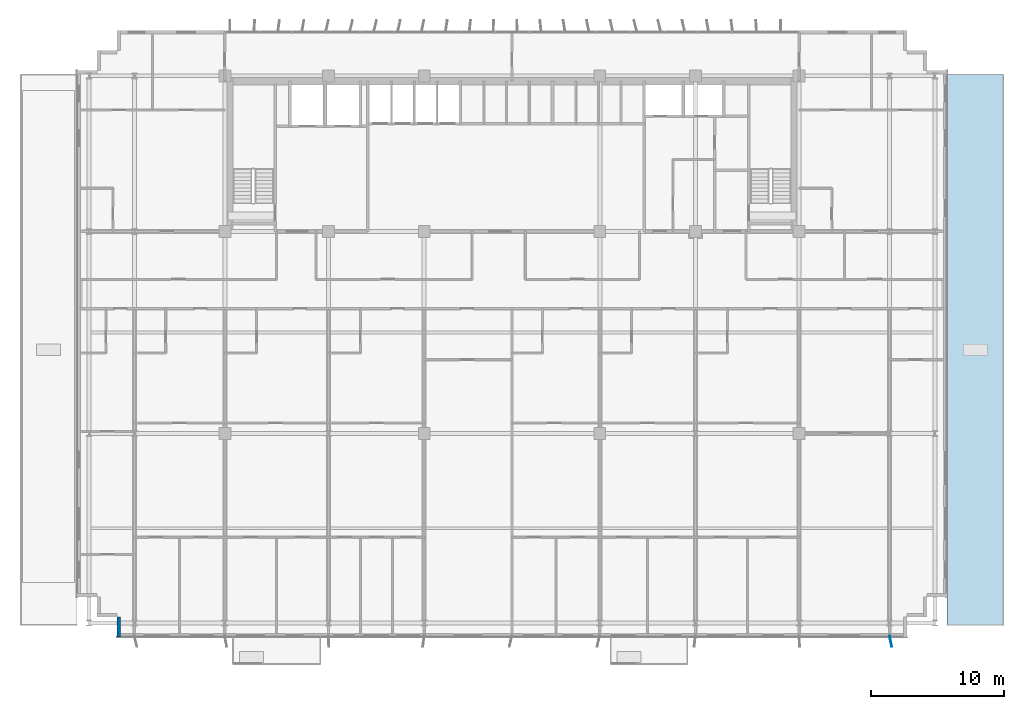
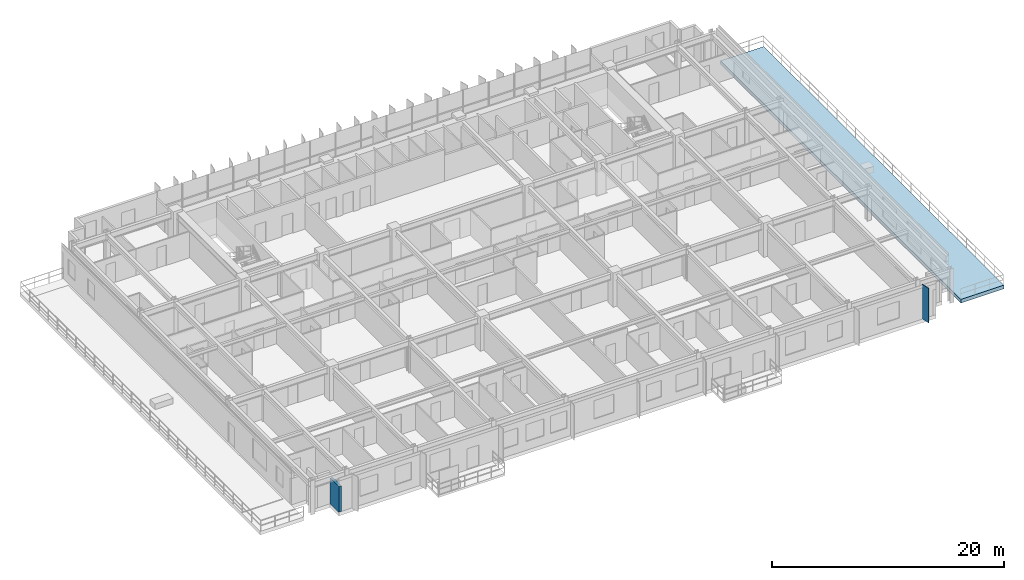
# One storey, part 15 of 26: 1 plate, 1 slab, 1 wall.
"""IFC4 building model written with IfcOpenShell, lengths in metres."""

import ifcopenshell
import ifcopenshell.guid

model = None  # the IFC model being written
_history = None  # IfcOwnerHistory: only IFC2X3 demands one
_inside = {}  # id of a spatial element -> (the spatial element, [elements in it])
_under = {}  # id of a project, library or spatial element -> (it, [spatial elements below it])
_declared = {}  # id of a project -> (the project, [libraries it declares])
_typed = {}  # id of a type object -> (the type object, [elements of that type])
_made_of = {}  # id of a material, layer set ... -> (it, [elements and type objects made of it])


def new_model(schema):
    """Start an empty IFC model of exactly this schema.

    Asked for "IFC4X3", IfcOpenShell would pick the latest addendum, in which some entities
    have other attributes; the version numbers below select the first issue.
    IFC2X3 requires an IfcOwnerHistory on every rooted entity: one is made here for all.
    """
    global model, _history
    if schema == "IFC4X3":
        model = ifcopenshell.file(schema_version=(4, 3, 0, 0))
    else:
        model = ifcopenshell.file(schema=schema)
    _inside.clear()
    _under.clear()
    _declared.clear()
    _typed.clear()
    _made_of.clear()
    _history = None
    if model.schema == "IFC2X3":
        org = make("IfcOrganization", Name="unknown")
        user = make(
            "IfcPersonAndOrganization",
            ThePerson=make("IfcPerson", FamilyName="unknown"),
            TheOrganization=org,
        )
        app = make(
            "IfcApplication",
            ApplicationDeveloper=org,
            Version="unknown",
            ApplicationFullName="unknown",
            ApplicationIdentifier="unknown",
        )
        _history = make(
            "IfcOwnerHistory",
            OwningUser=user,
            OwningApplication=app,
            ChangeAction="ADDED",
            CreationDate=0,
        )
    return model


def make(cls, **values):
    """One entity of the class cls with the attributes given. An attribute that is None is left unset."""
    return model.create_entity(
        cls, **{name: value for name, value in values.items() if value is not None}
    )


def rooted(cls, **values):
    """An entity with a GlobalId (a new one), such as an element, a storey or a relation."""
    return make(cls, GlobalId=ifcopenshell.guid.new(), OwnerHistory=_history, **values)


def si_unit(unit_type, name, prefix=None):
    """IfcSIUnit, for example si_unit("LENGTHUNIT", "METRE", prefix="MILLI")."""
    return make("IfcSIUnit", UnitType=unit_type, Prefix=prefix, Name=name)


def assignment(units):
    """IfcUnitAssignment: the units of a project."""
    return None if units is None else make("IfcUnitAssignment", Units=units)


def point(xyz):
    """IfcCartesianPoint."""
    return None if xyz is None else make("IfcCartesianPoint", Coordinates=xyz)


def direction(xyz):
    """IfcDirection."""
    return None if xyz is None else make("IfcDirection", DirectionRatios=xyz)


def frame(location, z_axis=None, x_axis=None):
    """IfcAxis2Placement3D, a coordinate frame: its origin and axes. An axis left out is left unset."""
    return make(
        "IfcAxis2Placement3D",
        Location=point(location),
        Axis=direction(z_axis),
        RefDirection=direction(x_axis),
    )


def frame_2d(location, x_axis=None):
    """IfcAxis2Placement2D, a coordinate frame in the plane: its origin and x axis."""
    return make(
        "IfcAxis2Placement2D", Location=point(location), RefDirection=direction(x_axis)
    )


def origin():
    """The frame at (0, 0, 0) with its axes left unset."""
    return frame((0.0, 0.0, 0.0))


def origin_2d():
    """The frame at (0, 0) in the plane with its x axis left unset."""
    return frame_2d((0.0, 0.0))


def place(relative_to, where):
    """IfcLocalPlacement: puts the frame where relative to a parent placement (None: the world)."""
    return make(
        "IfcLocalPlacement", PlacementRelTo=relative_to, RelativePlacement=where
    )


def context(
    kind, dimensions, precision=None, world=None, true_north=None, identifier=None
):
    """IfcGeometricRepresentationContext, for example the 3D "Model" context."""
    return make(
        "IfcGeometricRepresentationContext",
        ContextIdentifier=identifier,
        ContextType=kind,
        CoordinateSpaceDimension=dimensions,
        Precision=precision,
        WorldCoordinateSystem=world,
        TrueNorth=true_north,
    )


def subcontext(parent, identifier, kind, view, scale=None):
    """IfcGeometricRepresentationSubContext, for example "Body" below "Model"."""
    return make(
        "IfcGeometricRepresentationSubContext",
        ContextIdentifier=identifier,
        ContextType=kind,
        ParentContext=parent,
        TargetScale=scale,
        TargetView=view,
    )


def project(units=None, contexts=None):
    """IfcProject with its units and contexts."""
    return rooted(
        "IfcProject",
        Name="project",
        RepresentationContexts=contexts,
        UnitsInContext=assignment(units),
    )


def spatial(cls, under=None, at=None, **own):
    """A site, building, storey or space (cls), placed at a placement, below another one or the project."""
    s = rooted(cls, ObjectPlacement=at, **own)
    if under is not None:
        _under.setdefault(under.id(), (under, []))[1].append(s)
    return s


def polyline(points):
    """IfcPolyline through the points."""
    return make("IfcPolyline", Points=[point(p) for p in points])


def profile(cls, at=None, kind="AREA", **sizes):
    """A parametric profile (cls). Its sizes go by their IFC names, for example OverallWidth=200.0."""
    return make(cls, ProfileType=kind, Position=at, **sizes)


def rectangle(**sizes):
    """IfcRectangleProfileDef."""
    return profile("IfcRectangleProfileDef", **sizes)


def outline(outer, holes=None, kind="AREA"):
    """IfcArbitraryClosedProfileDef: a profile drawn as a closed curve; with holes, ...WithVoids."""
    if holes is None:
        return make("IfcArbitraryClosedProfileDef", ProfileType=kind, OuterCurve=outer)
    return make(
        "IfcArbitraryProfileDefWithVoids",
        ProfileType=kind,
        OuterCurve=outer,
        InnerCurves=holes,
    )


def extrude(swept, where, along, depth):
    """IfcExtrudedAreaSolid: the profile swept, set in the frame where, extruded along a direction by depth."""
    return make(
        "IfcExtrudedAreaSolid",
        SweptArea=swept,
        Position=where,
        ExtrudedDirection=direction(along),
        Depth=depth,
    )


def shape(context_of_items, identifier, shape_type, items):
    """IfcShapeRepresentation: the items that make up one representation, for example the "Body"."""
    return make(
        "IfcShapeRepresentation",
        ContextOfItems=context_of_items,
        RepresentationIdentifier=identifier,
        RepresentationType=shape_type,
        Items=items,
    )


def source(mapping_origin, context_of_items, identifier, shape_type, items):
    """IfcRepresentationMap: a shape defined once, which mapped items show again and again."""
    return make(
        "IfcRepresentationMap",
        MappingOrigin=mapping_origin,
        MappedRepresentation=shape(context_of_items, identifier, shape_type, items),
    )


def transform(
    local_origin,
    x_axis=None,
    y_axis=None,
    z_axis=None,
    scale=None,
    scale2=None,
    scale3=None,
    uniform=True,
):
    """IfcCartesianTransformationOperator3D, or its non-uniform kind. x_axis, y_axis, z_axis: its Axis1, 2, 3."""
    if uniform:
        return make(
            "IfcCartesianTransformationOperator3D",
            Axis1=direction(x_axis),
            Axis2=direction(y_axis),
            LocalOrigin=point(local_origin),
            Scale=scale,
            Axis3=direction(z_axis),
        )
    return make(
        "IfcCartesianTransformationOperator3DnonUniform",
        Axis1=direction(x_axis),
        Axis2=direction(y_axis),
        LocalOrigin=point(local_origin),
        Scale=scale,
        Axis3=direction(z_axis),
        Scale2=scale2,
        Scale3=scale3,
    )


def mapped(mapping_source, mapping_target):
    """IfcMappedItem: shows the shape of a source again, moved by a transform."""
    return make(
        "IfcMappedItem", MappingSource=mapping_source, MappingTarget=mapping_target
    )


def material(Name=None, Category=None):
    """IfcMaterial."""
    return make("IfcMaterial", Name=Name, Category=Category)


def layer(
    of_material, thickness, ventilated=None, Name=None, Category=None, Priority=None
):
    """IfcMaterialLayer: one layer of a wall or slab, of a material (None: an air gap)."""
    return make(
        "IfcMaterialLayer",
        Material=of_material,
        LayerThickness=thickness,
        IsVentilated=ventilated,
        Name=Name,
        Category=Category,
        Priority=Priority,
    )


def layer_set(layers, Name=None):
    """IfcMaterialLayerSet."""
    return make("IfcMaterialLayerSet", MaterialLayers=layers, LayerSetName=Name)


def made_of(thing, what):
    """Note that an element or type object is made of a material, layer set ...; save() writes the relation."""
    if what is not None:
        _made_of.setdefault(what.id(), (what, []))[1].append(thing)
    return thing


def type_object(cls, material=None, **own):
    """A type object (cls), such as IfcWallType, which elements share."""
    return made_of(rooted(cls, **own), material)


def element(
    cls,
    number,
    at=None,
    inside=None,
    cuts=None,
    type_object=None,
    material=None,
    context=None,
    identifier="Body",
    shape_type=None,
    held_by="IfcProductDefinitionShape",
    body=None,
    shapes=None,
    **own,
):
    """One element of the class cls, such as IfcWall. Its Tag is "e" and its number.

    at: its placement. inside: the storey or other place that contains it. cuts: it is an
    opening in that element (IfcRelVoidsElement). A single representation is given by context,
    identifier, shape_type and body (its items); several are given by shapes. held_by: the class
    of the entity that holds the representations. save() writes the other relations.
    """
    e = rooted(cls, Tag="e%d" % number, ObjectPlacement=at, **own)
    if body is not None:
        shapes = [shape(context, identifier, shape_type, body)]
    if shapes is not None:
        e.Representation = make(held_by, Representations=shapes)
    if inside is not None:
        _inside.setdefault(inside.id(), (inside, []))[1].append(e)
    if cuts is not None:
        rooted(
            "IfcRelVoidsElement", RelatingBuildingElement=cuts, RelatedOpeningElement=e
        )
    if type_object is not None:
        _typed.setdefault(type_object.id(), (type_object, []))[1].append(e)
    return made_of(e, material)


def aggregate(whole, parts):
    """IfcRelAggregates: a whole, such as a stair, and the parts it consists of."""
    return rooted("IfcRelAggregates", RelatingObject=whole, RelatedObjects=parts)


def save(model, path):
    """Write the relations noted so far, then the file.

    IfcRelAggregates (storeys below a building ...), IfcRelContainedInSpatialStructure (elements
    in a storey), IfcRelDefinesByType, IfcRelAssociatesMaterial and IfcRelDeclares: one each for
    every whole, place, type object, material and project.
    """
    for whole, parts in _under.values():
        aggregate(whole, parts)
    for where, things in _inside.values():
        rooted(
            "IfcRelContainedInSpatialStructure",
            RelatedElements=things,
            RelatingStructure=where,
        )
    for kind, things in _typed.values():
        rooted("IfcRelDefinesByType", RelatedObjects=things, RelatingType=kind)
    for what, things in _made_of.values():
        rooted("IfcRelAssociatesMaterial", RelatedObjects=things, RelatingMaterial=what)
    for by, libraries in _declared.values():
        rooted("IfcRelDeclares", RelatingContext=by, RelatedDefinitions=libraries)
    model.write(path)


model = new_model("IFC4")

# Units and contexts
model_context = context("Model", 3, precision=1e-05, world=origin(), true_north=direction((0.0, 1.0)))
body_context = subcontext(model_context, "Body", "Model", "MODEL_VIEW")
ifc_project = project(units=[si_unit("LENGTHUNIT", "METRE"), si_unit("AREAUNIT", "SQUARE_METRE"), si_unit("VOLUMEUNIT", "CUBIC_METRE"), si_unit("PLANEANGLEUNIT", "RADIAN"), si_unit("MASSUNIT", "GRAM", prefix="KILO")], contexts=[model_context])

# Site, building, storey
site_placement = place(None, origin())
site = spatial("IfcSite", under=ifc_project, at=site_placement, CompositionType="ELEMENT")
building_placement = place(site_placement, origin())
building = spatial("IfcBuilding", under=site, at=building_placement, Name="Trelvane Seafront Commons", CompositionType="ELEMENT")
storey_placement = place(building_placement, frame((0.0, 0.0, 23.5)))
storey = spatial("IfcBuildingStorey", under=building, at=storey_placement, Name="L05", CompositionType="ELEMENT", Elevation=23.5)

# Slab
ifc_material_1 = material(Name="Concrete C60/75", Category="concrete")
ifc_layer_1 = layer(ifc_material_1, 0.3798828125, Name="STR-SLB-T380")
ifc_layer_set_1 = layer_set([ifc_layer_1], Name="Concrete C60/75")
slab_type = type_object("IfcSlabType", Name="STR-SLB-T380", PredefinedType="FLOOR", material=ifc_layer_set_1)
slab_placement = place(storey_placement, frame((0.0, 0.0, -0.3798828125)))
element("IfcSlab", 1, at=slab_placement, inside=storey, type_object=slab_type, Name="L05 Tower Base Podium Roof Garden E", PredefinedType="FLOOR", context=body_context, shape_type="SweptSolid", body=[
    extrude(outline(polyline([(69.89990234375, 3.800048828125), (74.199951171875, 3.800048828125), (74.199951171875, 45.199951171875), (69.89990234375, 45.199951171875), (69.89990234375, 3.800048828125)])), origin(), (0.0, 0.0, 1.0), 0.3798828125),
])

# Plate
ifc_material_2 = material(Name="Anodised pale-silver aluminium", Category="aluminium")
ifc_layer_2 = layer(ifc_material_2, 0.06005859375, Name="ARCH-PLATE-FIN900")
ifc_layer_set_2 = layer_set([ifc_layer_2], Name="Anodised pale-silver aluminium")
plate_type = type_object("IfcPlateType", Name="ARCH-PLATE-FIN900", PredefinedType="USERDEFINED", material=ifc_layer_set_2)
shared_shape = source(origin(), body_context, "Body", "SweptSolid", [
    extrude(rectangle(XDim=0.85009765625, YDim=0.06005859375, at=origin_2d()), origin(), (0.0, 0.0, 1.0), 3.639892578125),
])
plate_placement = place(storey_placement, frame((65.679931640625, 2.58251953125, -0.02001953125), z_axis=(0.0, 0.0, 1.0), x_axis=(0.188349867613, -0.982101994383, 0.0)))
element("IfcPlate", 2, at=plate_placement, inside=storey, type_object=plate_type, Name="FIN-S-L05-00033", ObjectType="FIN", PredefinedType="USERDEFINED", context=body_context, shape_type="MappedRepresentation", body=[
    mapped(shared_shape, transform((0.0, 0.0, 0.0), x_axis=(1.0, 0.0, 0.0), y_axis=(0.0, 1.0, 0.0), z_axis=(0.0, 0.0, 1.0), scale=1.0)),
])

# Wall
ifc_material_3 = material(Name="Precast concrete C40/50", Category="concrete")
ifc_layer_3 = layer(ifc_material_3, 0.260009765625, Name="ARCH-WALL-EXT260")
ifc_layer_set_3 = layer_set([ifc_layer_3], Name="Precast concrete C40/50")
wall_type = type_object("IfcWallType", Name="ARCH-WALL-EXT260", PredefinedType="SOLIDWALL", material=ifc_layer_set_3)
wall_placement = place(storey_placement, frame((7.6298828125, 2.89990234375, 0.0), z_axis=(0.0, 0.0, 1.0), x_axis=(0.0, 1.0, 0.0)))
element("IfcWall", 3, at=wall_placement, inside=storey, type_object=wall_type, Name="EW-L05-00065", PredefinedType="SOLIDWALL", context=body_context, shape_type="SweptSolid", body=[
    extrude(rectangle(XDim=1.5, YDim=0.260009765625, at=frame_2d((0.75, 0.0))), origin(), (0.0, 0.0, 1.0), 2.68994140625),
])

save(model, "model.ifc")
